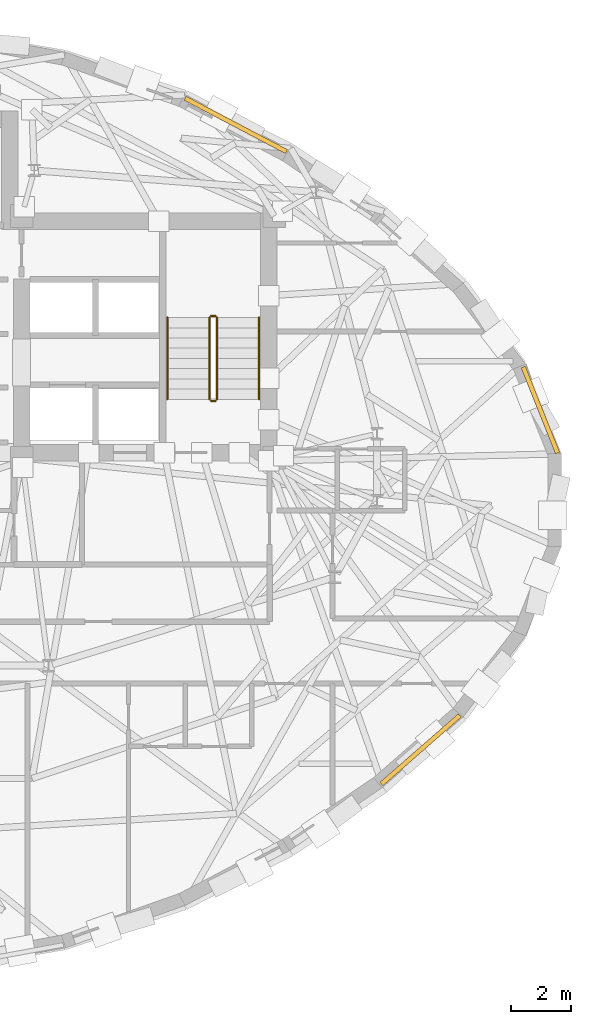
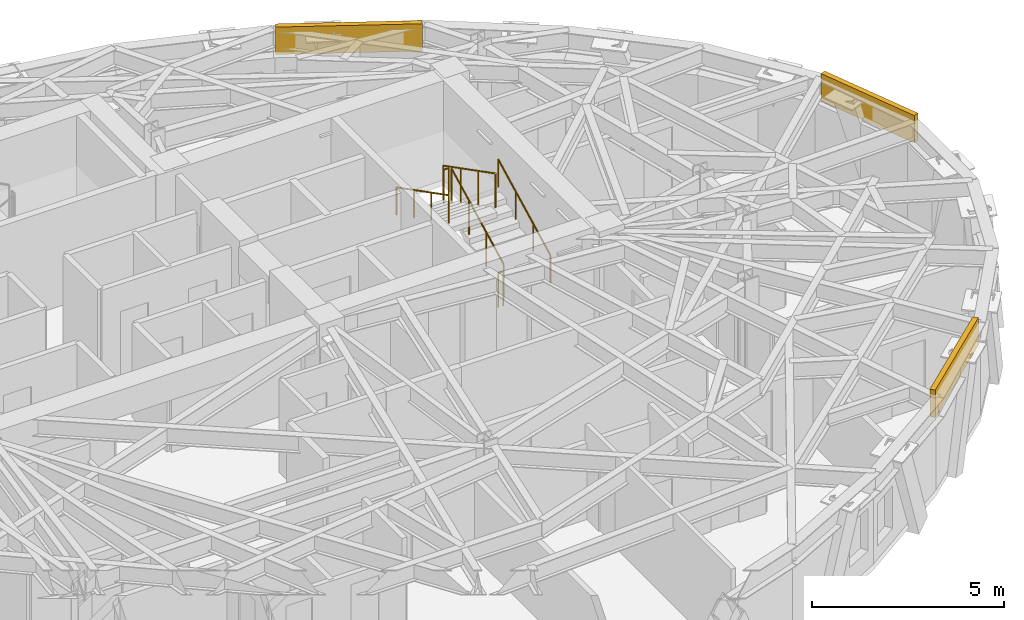
# One storey, part 13 of 13: 6 railings, 3 coverings.
"""IFC4 building model written with IfcOpenShell, lengths in metres."""

from ifc_helpers import new_model, si_unit, direction, frame, origin, origin_2d, place, context, subcontext, project, spatial, rectangle, circle, extrude, material, layer, layer_set, type_object, element, save


model = new_model("IFC4")

# Units and contexts
model_context = context("Model", 3, precision=1e-05, world=origin(), true_north=direction((0.0, 1.0)))
body_context = subcontext(model_context, "Body", "Model", "MODEL_VIEW")
ifc_project = project(units=[si_unit("LENGTHUNIT", "METRE"), si_unit("AREAUNIT", "SQUARE_METRE"), si_unit("VOLUMEUNIT", "CUBIC_METRE"), si_unit("PLANEANGLEUNIT", "RADIAN"), si_unit("MASSUNIT", "GRAM", prefix="KILO")], contexts=[model_context])

# Site, building, storey
site_placement = place(None, origin())
site = spatial("IfcSite", under=ifc_project, at=site_placement, CompositionType="ELEMENT")
building_placement = place(site_placement, origin())
building = spatial("IfcBuilding", under=site, at=building_placement, Name="Keldmark Tower", CompositionType="ELEMENT")
storey_placement = place(building_placement, frame((0.0, 0.0, 219.449951171875)))
storey = spatial("IfcBuildingStorey", under=building, at=storey_placement, Name="L61", CompositionType="ELEMENT", Elevation=219.449951171875)

# Coverings
ifc_material_1 = material(Name="Honed Kasota Buff Dolomitic Limestone", Category="masonry")
ifc_layer = layer(ifc_material_1, 0.074951171875)
ifc_layer_set = layer_set([ifc_layer], Name="Honed Kasota Buff Dolomitic Limestone")
covering_type = type_object("IfcCoveringType", Name="Kasota Buff Limestone Spandrel Cladding Band", PredefinedType="CLADDING", material=ifc_layer_set)
covering_1_placement = place(storey_placement, frame((22.462646484375, 2.99267578125, 2.260009765625), z_axis=(0.0, 0.0, 1.0), x_axis=(-0.371221984757, 0.928544149749, 0.0)))
element("IfcCovering", 1, at=covering_1_placement, inside=storey, type_object=covering_type, Name="L61 Kasota Limestone Spandrel Band 01", PredefinedType="CLADDING", context=body_context, shape_type="SweptSolid", body=[
    extrude(rectangle(XDim=3.081787109375, YDim=0.14990234375, at=origin_2d()), origin(), (0.0, 0.0, 1.0), 0.8701171875),
])
covering_2_placement = place(storey_placement, frame((12.323486328125, 12.48193359375, 2.260009765625), z_axis=(0.0, 0.0, 1.0), x_axis=(-0.885052640888, 0.465490948202, 0.0)))
element("IfcCovering", 2, at=covering_2_placement, inside=storey, type_object=covering_type, Name="L61 Kasota Limestone Spandrel Band 05", PredefinedType="CLADDING", context=body_context, shape_type="SweptSolid", body=[
    extrude(rectangle(XDim=3.811279296875, YDim=0.14990234375, at=origin_2d()), origin(), (0.0, 0.0, 1.0), 0.8701171875),
])
covering_3_placement = place(storey_placement, frame((18.475341796875, -8.309814453125, 2.260009765625), z_axis=(0.0, 0.0, 1.0), x_axis=(0.752748205198, 0.658308544355, 0.0)))
element("IfcCovering", 3, at=covering_3_placement, inside=storey, type_object=covering_type, Name="L61 Kasota Limestone Spandrel Band 29", PredefinedType="CLADDING", context=body_context, shape_type="SweptSolid", body=[
    extrude(rectangle(XDim=3.464599609375, YDim=0.14990234375, at=origin_2d()), origin(), (0.0, 0.0, 1.0), 0.8701171875),
])

# Railings
ifc_material_2 = material(Name="Painted Steel ASTM A500 Grade B", Category="steel")
railing_type_1 = type_object("IfcRailingType", Name="Painted Steel Stair Well Guard 1100 mm", PredefinedType="GUARDRAIL", material=ifc_material_2)
railing_1_placement = place(storey_placement, frame((11.699951171875, 3.35009765625, 0.175048828125)))
element("IfcRailing", 4, at=railing_1_placement, inside=storey, type_object=railing_type_1, Name="L61 ST2 stair guard 1", PredefinedType="GUARDRAIL", context=body_context, shape_type="SweptSolid", body=[
    extrude(circle(Radius=0.02392578125, at=origin_2d()), frame((0.0, 0.0, 1.076171875), z_axis=(0.0, 0.889146794209, 0.457622091194), x_axis=(-1.0, 0.0, 0.0)), (0.0, 0.0, 1.0), 3.05908203125),
    extrude(circle(Radius=0.02099609375, at=origin_2d()), origin(), (0.0, 0.0, 1.0), 1.052001953125),
    extrude(circle(Radius=0.02099609375, at=origin_2d()), frame((0.0, 0.90673828125, 0.466552734375)), (0.0, 0.0, 1.0), 1.052001953125),
    extrude(circle(Radius=0.02099609375, at=origin_2d()), frame((0.0, 1.813232421875, 0.933349609375)), (0.0, 0.0, 1.0), 1.052001953125),
    extrude(circle(Radius=0.02099609375, at=origin_2d()), frame((0.0, 2.719970703125, 1.39990234375)), (0.0, 0.0, 1.0), 1.052001953125),
])
railing_2_placement = place(storey_placement, frame((11.64990234375, 6.1201171875, 1.574951171875)))
element("IfcRailing", 5, at=railing_2_placement, inside=storey, type_object=railing_type_1, Name="L61 ST2 stair guard 2", PredefinedType="GUARDRAIL", context=body_context, shape_type="SweptSolid", body=[
    extrude(circle(Radius=0.02392578125, at=origin_2d()), frame((0.0, 0.0, 1.076171875), z_axis=(-1.0, 0.0, 0.0), x_axis=(0.0, -1.0, 0.0)), (0.0, 0.0, 1.0), 0.14990234375),
    extrude(circle(Radius=0.02099609375, at=origin_2d()), origin(), (0.0, 0.0, 1.0), 1.052001953125),
    extrude(circle(Radius=0.02099609375, at=origin_2d()), frame((-0.14990234375, 0.0, 0.0)), (0.0, 0.0, 1.0), 1.052001953125),
])
railing_3_placement = place(storey_placement, frame((11.449951171875, 6.070068359375, 1.75)))
element("IfcRailing", 6, at=railing_3_placement, inside=storey, type_object=railing_type_1, Name="L61 ST2 stair guard 3", PredefinedType="GUARDRAIL", context=body_context, shape_type="SweptSolid", body=[
    extrude(circle(Radius=0.02392578125, at=origin_2d()), frame((0.0, 0.0, 1.076171875), z_axis=(0.0, -0.889114319608, 0.457685182924), x_axis=(1.0, 0.0, 0.0)), (0.0, 0.0, 1.0), 3.05908203125),
    extrude(circle(Radius=0.02099609375, at=origin_2d()), origin(), (0.0, 0.0, 1.0), 1.052001953125),
    extrude(circle(Radius=0.02099609375, at=origin_2d()), frame((0.0, -0.90673828125, 0.466796875)), (0.0, 0.0, 1.0), 1.052001953125),
    extrude(circle(Radius=0.02099609375, at=origin_2d()), frame((0.0, -1.813232421875, 0.933349609375)), (0.0, 0.0, 1.0), 1.052001953125),
    extrude(circle(Radius=0.02099609375, at=origin_2d()), frame((0.0, -2.719970703125, 1.400146484375)), (0.0, 0.0, 1.0), 1.052001953125),
])
railing_4_placement = place(storey_placement, frame((11.64990234375, 3.300048828125, 0.0)))
element("IfcRailing", 7, at=railing_4_placement, inside=storey, type_object=railing_type_1, Name="L61 ST2 stair guard 4", PredefinedType="GUARDRAIL", context=body_context, shape_type="SweptSolid", body=[
    extrude(circle(Radius=0.02392578125, at=origin_2d()), frame((0.0, 0.0, 1.076171875), z_axis=(-1.0, 0.0, 0.0), x_axis=(0.0, -1.0, 0.0)), (0.0, 0.0, 1.0), 0.14990234375),
    extrude(circle(Radius=0.02099609375, at=origin_2d()), origin(), (0.0, 0.0, 1.0), 1.052001953125),
    extrude(circle(Radius=0.02099609375, at=origin_2d()), frame((-0.14990234375, 0.0, 0.0)), (0.0, 0.0, 1.0), 1.052001953125),
])
ifc_material_3 = material(Name="Stainless Steel AISI 316L", Category="steel")
railing_type_2 = type_object("IfcRailingType", Name="Stainless Steel Stair Handrail 900 mm", PredefinedType="HANDRAIL", material=ifc_material_3)
railing_5_placement = place(storey_placement, frame((13.10009765625, 3.35009765625, 0.175048828125)))
element("IfcRailing", 8, at=railing_5_placement, inside=storey, type_object=railing_type_2, Name="L61 ST2 stair handrail 1", PredefinedType="HANDRAIL", context=body_context, shape_type="SweptSolid", body=[
    extrude(circle(Radius=0.02392578125, at=origin_2d()), frame((0.0, 0.0, 0.8759765625), z_axis=(0.0, 0.889146794209, 0.457622091194), x_axis=(-1.0, 0.0, 0.0)), (0.0, 0.0, 1.0), 3.05908203125),
    extrude(circle(Radius=0.02099609375, at=origin_2d()), origin(), (0.0, 0.0, 1.0), 0.851806640625),
    extrude(circle(Radius=0.02099609375, at=origin_2d()), frame((0.0, 0.90673828125, 0.466552734375)), (0.0, 0.0, 1.0), 0.851806640625),
    extrude(circle(Radius=0.02099609375, at=origin_2d()), frame((0.0, 1.813232421875, 0.933349609375)), (0.0, 0.0, 1.0), 0.851806640625),
    extrude(circle(Radius=0.02099609375, at=origin_2d()), frame((0.0, 2.719970703125, 1.39990234375)), (0.0, 0.0, 1.0), 0.851806640625),
])
railing_6_placement = place(storey_placement, frame((10.050048828125, 6.070068359375, 1.75)))
element("IfcRailing", 9, at=railing_6_placement, inside=storey, type_object=railing_type_2, Name="L61 ST2 stair handrail 2", PredefinedType="HANDRAIL", context=body_context, shape_type="SweptSolid", body=[
    extrude(circle(Radius=0.02392578125, at=origin_2d()), frame((0.0, 0.0, 0.8759765625), z_axis=(0.0, -0.889114319608, 0.457685182924), x_axis=(1.0, 0.0, 0.0)), (0.0, 0.0, 1.0), 3.05908203125),
    extrude(circle(Radius=0.02099609375, at=origin_2d()), origin(), (0.0, 0.0, 1.0), 0.851806640625),
    extrude(circle(Radius=0.02099609375, at=origin_2d()), frame((0.0, -0.90673828125, 0.466796875)), (0.0, 0.0, 1.0), 0.851806640625),
    extrude(circle(Radius=0.02099609375, at=origin_2d()), frame((0.0, -1.813232421875, 0.933349609375)), (0.0, 0.0, 1.0), 0.851806640625),
    extrude(circle(Radius=0.02099609375, at=origin_2d()), frame((0.0, -2.719970703125, 1.400146484375)), (0.0, 0.0, 1.0), 0.851806640625),
])

save(model, "model.ifc")
